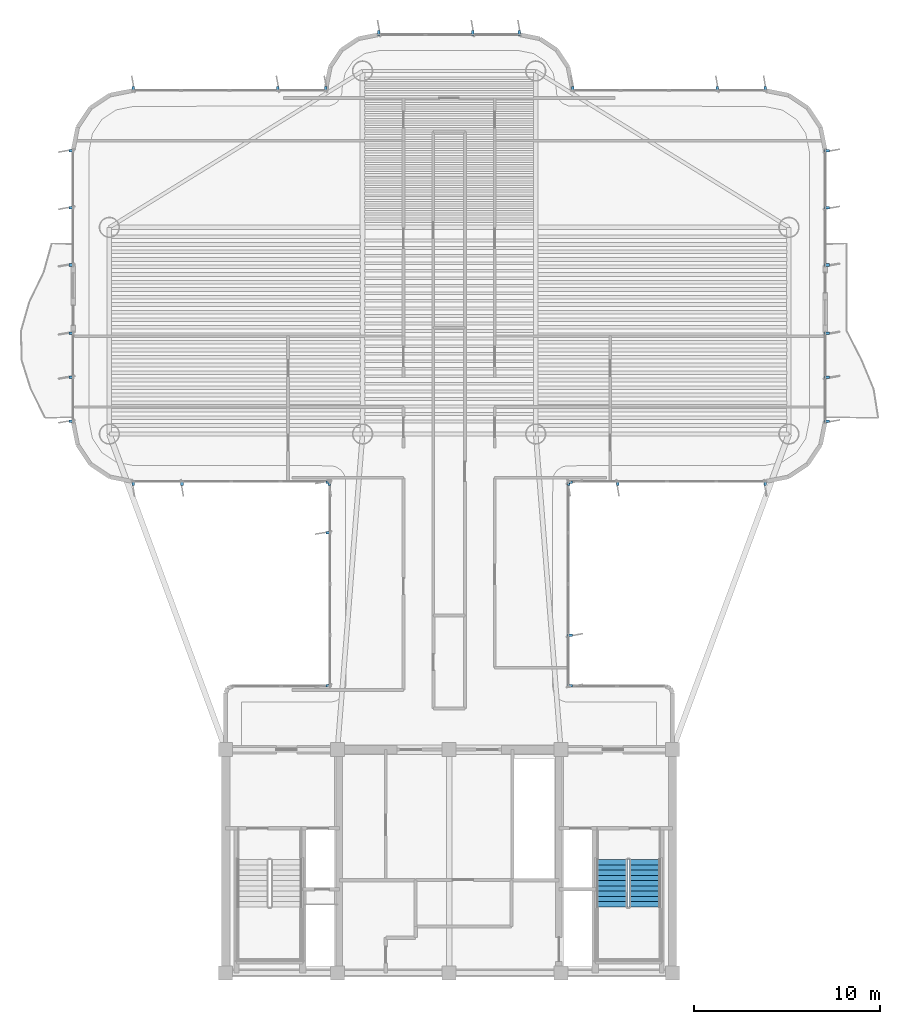
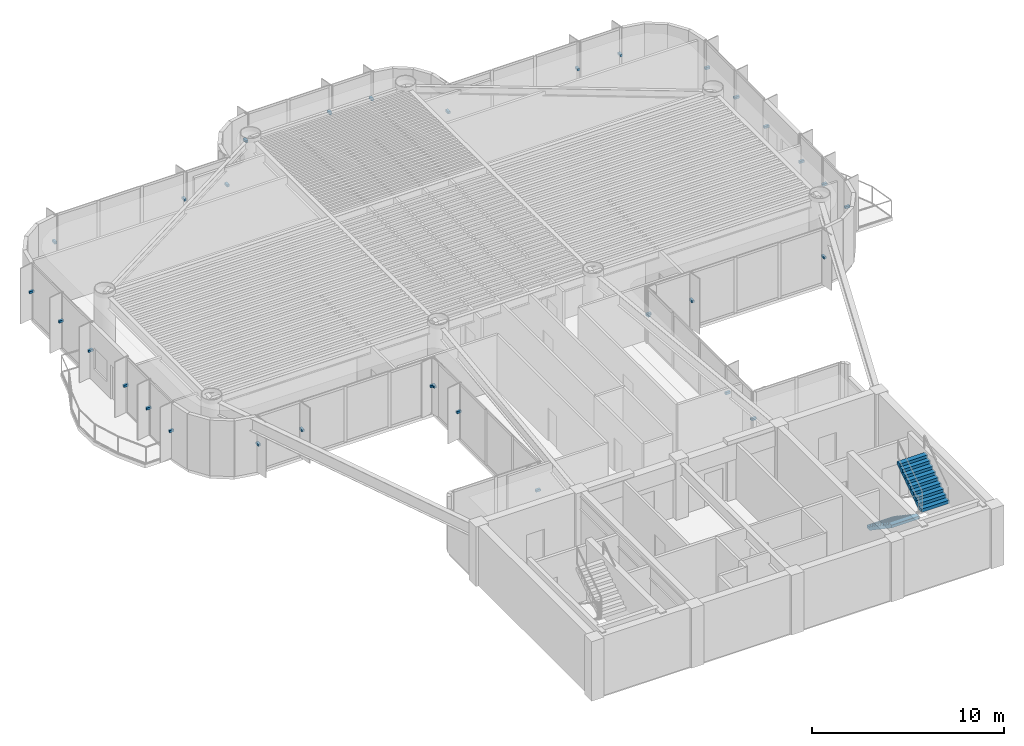
# One storey, part 12 of 14: 33 discrete accessories, 2 stair flights, 1 element without a shape of its own.
"""IFC4 building model written with IfcOpenShell, lengths in metres."""

from ifc_helpers import new_model, si_unit, direction, frame, origin, origin_2d, place, context, subcontext, project, spatial, polyline, rectangle, outline, extrude, source, transform, mapped, material, type_object, element, aggregate, save


model = new_model("IFC4")

# Units and contexts
model_context = context("Model", 3, precision=1e-05, world=origin(), true_north=direction((0.0, 1.0)))
body_context = subcontext(model_context, "Body", "Model", "MODEL_VIEW")
ifc_project = project(units=[si_unit("LENGTHUNIT", "METRE"), si_unit("AREAUNIT", "SQUARE_METRE"), si_unit("VOLUMEUNIT", "CUBIC_METRE"), si_unit("PLANEANGLEUNIT", "RADIAN"), si_unit("MASSUNIT", "GRAM", prefix="KILO")], contexts=[model_context])

# Site, building, storey
site_placement = place(None, origin())
site = spatial("IfcSite", under=ifc_project, at=site_placement, CompositionType="ELEMENT")
building_placement = place(site_placement, origin())
building = spatial("IfcBuilding", under=site, at=building_placement, Name="Brelvock Crest Care Tower", CompositionType="ELEMENT")
storey_placement = place(building_placement, frame((0.0, 0.0, 175.320068359375)))
storey = spatial("IfcBuildingStorey", under=building, at=storey_placement, Name="L44", CompositionType="ELEMENT", Elevation=175.320068359375)

# Stair, stair flights
ifc_material_1 = material(Name="Concrete N40 (40 MPa)", Category="concrete")
stair_type = type_object("IfcStairType", Name="ST-CORE1", PredefinedType="HALF_TURN_STAIR", material=ifc_material_1)
stair_placement = place(storey_placement, origin())
stair = element("IfcStair", 1, at=stair_placement, inside=storey, type_object=stair_type, Name="L44 Fire-Isolated Core Stair ST-2", PredefinedType="HALF_TURN_STAIR")
stair_flight_type = type_object("IfcStairFlightType", Name="STF-1", PredefinedType="STRAIGHT", material=ifc_material_1)
stair_flight_1_placement = place(storey_placement, frame((44.72998046875, 12.080078125, 0.0), z_axis=(0.0, 0.0, 1.0), x_axis=(0.0, -1.0, 0.0)))
stair_flight_1 = element("IfcStairFlight", 2, at=stair_flight_1_placement, type_object=stair_flight_type, Name="ST-2 flight 1", NumberOfRisers=10, NumberOfTreads=9, PredefinedType="STRAIGHT", RiserHeight=0.189, TreadLength=0.28, context=body_context, shape_type="SweptSolid", body=[
    extrude(outline(polyline([(-0.00390625, -0.014892578125), (-0.00390625, -0.0078125), (-0.00390625, -0.00048828125), (-0.00390625, 0.0068359375), (-0.00390625, 0.01416015625), (-0.00390625, 0.021484375), (-0.00390625, 0.02880859375), (-0.00390625, 0.035888671875), (-0.00390625, 0.043212890625), (-0.00390625, 0.050537109375), (-0.00390625, 0.057861328125), (-0.00390625, 0.065185546875), (-0.00390625, 0.072509765625), (-0.00390625, 0.07958984375), (-0.00390625, 0.0869140625), (-0.00390625, 0.09423828125), (-0.00390625, 0.1015625), (-0.00390625, 0.10888671875), (-0.00390625, 0.1162109375), (-0.00390625, 0.12353515625), (-0.00390625, 0.130615234375), (-0.00390625, 0.137939453125), (-0.00390625, 0.145263671875), (-0.00390625, 0.152587890625), (-0.00390625, 0.159912109375), (-0.00390625, 0.167236328125), (-0.00390625, 0.17431640625), (-0.00390625, 0.181640625), (-0.00390625, 0.18896484375), (0.0, 0.18896484375), (0.280029296875, 0.18896484375), (0.280029296875, 0.3779296875), (0.56005859375, 0.3779296875), (0.56005859375, 0.56689453125), (0.840087890625, 0.56689453125), (0.840087890625, 0.756103515625), (1.1201171875, 0.756103515625), (1.1201171875, 0.945068359375), (1.39990234375, 0.945068359375), (1.39990234375, 1.134033203125), (1.679931640625, 1.134033203125), (1.679931640625, 1.322998046875), (1.9599609375, 1.322998046875), (1.9599609375, 1.511962890625), (2.239990234375, 1.511962890625), (2.239990234375, 1.700927734375), (2.52001953125, 1.700927734375), (2.52392578125, 1.700927734375), (2.523681640625, 1.70068359375), (2.52392578125, 1.700439453125), (2.523681640625, 1.699951171875), (2.52392578125, 1.69970703125), (2.523681640625, 1.699462890625), (2.52392578125, 1.698974609375), (2.523681640625, 1.69873046875), (2.52392578125, 1.698486328125), (2.523681640625, 1.697998046875), (2.52392578125, 1.69775390625), (2.523681640625, 1.697509765625), (2.52392578125, 1.697021484375), (2.523681640625, 1.69677734375), (2.52392578125, 1.696533203125), (2.523681640625, 1.6962890625), (2.52392578125, 1.69580078125), (2.523681640625, 1.695556640625), (2.52392578125, 1.6953125), (2.523681640625, 1.69482421875), (2.52392578125, 1.694580078125), (2.523681640625, 1.6943359375), (2.52392578125, 1.69384765625), (2.523681640625, 1.693603515625), (2.52392578125, 1.693359375), (2.523681640625, 1.69287109375), (2.52392578125, 1.692626953125), (2.523681640625, 1.6923828125), (2.52392578125, 1.69189453125), (2.52001953125, 1.520263671875), (0.267822265625, 0.0), (0.0, 0.0), (0.0, -0.014892578125), (-0.00390625, -0.014892578125)])), frame((0.0, 0.83984375, 0.0), z_axis=(0.0, -1.0, 0.0), x_axis=(1.0, 0.0, 0.0)), (0.0, 0.0, 1.0), 1.679931640625),
])
stair_flight_2_placement = place(storey_placement, frame((46.530029296875, 9.56005859375, 1.889892578125), z_axis=(0.0, 0.0, 1.0), x_axis=(0.0, 1.0, 0.0)))
stair_flight_2 = element("IfcStairFlight", 3, at=stair_flight_2_placement, type_object=stair_flight_type, Name="ST-2 flight 2", NumberOfRisers=10, NumberOfTreads=9, PredefinedType="STRAIGHT", RiserHeight=0.189, TreadLength=0.28, context=body_context, shape_type="SweptSolid", body=[
    extrude(outline(polyline([(-0.00390625, -0.014892578125), (-0.00390625, -0.0078125), (-0.00390625, -0.00048828125), (-0.00390625, 0.0068359375), (-0.00390625, 0.01416015625), (-0.00390625, 0.021484375), (-0.00390625, 0.02880859375), (-0.00390625, 0.035888671875), (-0.00390625, 0.043212890625), (-0.00390625, 0.050537109375), (-0.00390625, 0.057861328125), (-0.00390625, 0.065185546875), (-0.00390625, 0.072509765625), (-0.00390625, 0.07958984375), (-0.00390625, 0.0869140625), (-0.00390625, 0.09423828125), (-0.00390625, 0.1015625), (-0.00390625, 0.10888671875), (-0.00390625, 0.1162109375), (-0.00390625, 0.12353515625), (-0.00390625, 0.130615234375), (-0.00390625, 0.137939453125), (-0.00390625, 0.145263671875), (-0.00390625, 0.152587890625), (-0.00390625, 0.159912109375), (-0.00390625, 0.167236328125), (-0.00390625, 0.17431640625), (-0.00390625, 0.181640625), (-0.00390625, 0.18896484375), (0.0, 0.18896484375), (0.280029296875, 0.18896484375), (0.280029296875, 0.3779296875), (0.56005859375, 0.3779296875), (0.56005859375, 0.56689453125), (0.840087890625, 0.56689453125), (0.840087890625, 0.756103515625), (1.1201171875, 0.756103515625), (1.1201171875, 0.945068359375), (1.39990234375, 0.945068359375), (1.39990234375, 1.134033203125), (1.679931640625, 1.134033203125), (1.679931640625, 1.322998046875), (1.9599609375, 1.322998046875), (1.9599609375, 1.511962890625), (2.239990234375, 1.511962890625), (2.239990234375, 1.700927734375), (2.52001953125, 1.700927734375), (2.52392578125, 1.700927734375), (2.523681640625, 1.70068359375), (2.52392578125, 1.700439453125), (2.523681640625, 1.699951171875), (2.52392578125, 1.69970703125), (2.523681640625, 1.699462890625), (2.52392578125, 1.698974609375), (2.523681640625, 1.69873046875), (2.52392578125, 1.698486328125), (2.523681640625, 1.697998046875), (2.52392578125, 1.69775390625), (2.523681640625, 1.697509765625), (2.52392578125, 1.697021484375), (2.523681640625, 1.69677734375), (2.52392578125, 1.696533203125), (2.523681640625, 1.6962890625), (2.52392578125, 1.69580078125), (2.523681640625, 1.695556640625), (2.52392578125, 1.6953125), (2.523681640625, 1.69482421875), (2.52392578125, 1.694580078125), (2.523681640625, 1.6943359375), (2.52392578125, 1.69384765625), (2.523681640625, 1.693603515625), (2.52392578125, 1.693359375), (2.523681640625, 1.69287109375), (2.52392578125, 1.692626953125), (2.523681640625, 1.6923828125), (2.52392578125, 1.69189453125), (2.52001953125, 1.520263671875), (0.267822265625, 0.0), (0.0, 0.0), (0.0, -0.014892578125), (-0.00390625, -0.014892578125)])), frame((0.0, 0.83984375, 0.0), z_axis=(0.0, -1.0, 0.0), x_axis=(1.0, 0.0, 0.0)), (0.0, 0.0, 1.0), 1.679931640625),
])
aggregate(stair, [stair_flight_1, stair_flight_2])

# Discrete accessories
ifc_material_2 = material(Name="Steel Grade 350", Category="steel")
discrete_accessory_type = type_object("IfcDiscreteAccessoryType", Name="ACC-BRK1", PredefinedType="BRACKET", material=ifc_material_2)
shared_shape = source(origin(), body_context, "Body", "SweptSolid", [
    extrude(rectangle(XDim=0.280029296875, YDim=0.139892578125, at=origin_2d()), origin(), (0.0, 0.0, 1.0), 0.139892578125),
])
for number, where, z_axis, x_axis, name in (
    (4, (29.52001953125, 21.429931640625, 1.69482421875), (0.0, 0.0, 1.0), (-1.0, 0.0, 0.0), "L44 Facade Fin Bracket E11-01"),
    (5, (29.52001953125, 29.64990234375, 1.69482421875), (0.0, 0.0, 1.0), (-1.0, 0.0, 0.0), "L44 Facade Fin Bracket E11-04"),
    (6, (29.52001953125, 32.3701171875, 1.69482421875), (0.0, 0.0, 1.0), (-1.0, 0.0, 0.0), "L44 Facade Fin Bracket E11-05"),
    (7, (29.570068359375, 32.320068359375, 1.69482421875), (0.0, 0.0, 1.0), (0.0, -1.0, 0.0), "L44 Facade Fin Bracket E12-01"),
    (8, (21.64990234375, 32.320068359375, 1.69482421875), (0.0, 0.0, 1.0), (0.0, -1.0, 0.0), "L44 Facade Fin Bracket E12-04"),
    (9, (19.030029296875, 32.320068359375, 1.69482421875), (0.0, 0.0, 1.0), (0.0, -1.0, 0.0), "L44 Facade Fin Bracket E12-05"),
    (10, (15.719970703125, 35.6298828125, 1.69482421875), (0.0, 0.0, 1.0), (-1.0, 0.0, 0.0), "L44 Facade Fin Bracket E17A-01"),
    (11, (15.719970703125, 38.0, 1.69482421875), (0.0, 0.0, 1.0), (-1.0, 0.0, 0.0), "L44 Facade Fin Bracket E17A-02"),
    (12, (15.719970703125, 40.3701171875, 1.69482421875), (0.0, 0.0, 1.0), (-1.0, 0.0, 0.0), "L44 Facade Fin Bracket E17A-03"),
    (13, (15.719970703125, 44.030029296875, 1.69482421875), (0.0, 0.0, 1.0), (-1.0, 0.0, 0.0), "L44 Facade Fin Bracket E17B-01"),
    (14, (15.719970703125, 47.10009765625, 1.69482421875), (0.0, 0.0, 1.0), (-1.0, 0.0, 0.0), "L44 Facade Fin Bracket E17B-02"),
    (15, (15.719970703125, 50.169921875, 1.69482421875), (0.0, 0.0, 1.0), (-1.0, 0.0, 0.0), "L44 Facade Fin Bracket E17B-03"),
    (16, (19.030029296875, 53.47998046875, 1.69482421875), (0.0, 0.0, 1.0), (0.0, 1.0, 0.0), "L44 Facade Fin Bracket E22-01"),
    (17, (26.800048828125, 53.47998046875, 1.69482421875), (0.0, 0.0, 1.0), (0.0, 1.0, 0.0), "L44 Facade Fin Bracket E22-04"),
    (18, (29.3701171875, 53.47998046875, 1.69482421875), (0.0, 0.0, 1.0), (0.0, 1.0, 0.0), "L44 Facade Fin Bracket E22-05"),
    (19, (32.22998046875, 56.47998046875, 1.69482421875), (0.0, 0.0, 1.0), (0.0, 1.0, 0.0), "L44 Facade Fin Bracket E28-01"),
    (20, (37.2666015625, 56.47998046875, 1.69482421875), (0.0, 0.0, 1.0), (0.0, 1.0, 0.0), "L44 Facade Fin Bracket E28-03"),
    (21, (39.77001953125, 56.47998046875, 1.69482421875), (0.0, 0.0, 1.0), (0.0, 1.0, 0.0), "L44 Facade Fin Bracket E28-04"),
    (22, (42.6298828125, 53.47998046875, 1.69482421875), (0.0, 0.0, 1.0), (0.0, 1.0, 0.0), "L44 Facade Fin Bracket E34-01"),
    (23, (50.39990234375, 53.47998046875, 1.69482421875), (0.0, 0.0, 1.0), (0.0, 1.0, 0.0), "L44 Facade Fin Bracket E34-04"),
    (24, (52.969970703125, 53.47998046875, 1.69482421875), (0.0, 0.0, 1.0), (0.0, 1.0, 0.0), "L44 Facade Fin Bracket E34-05"),
    (25, (56.280029296875, 50.169921875, 1.69482421875), (0.0, 0.0, 1.0), (1.0, 0.0, 0.0), "L44 Facade Fin Bracket E39A-01"),
    (26, (56.280029296875, 47.10009765625, 1.69482421875), (0.0, 0.0, 1.0), (1.0, 0.0, 0.0), "L44 Facade Fin Bracket E39A-02"),
    (27, (56.280029296875, 44.030029296875, 1.69482421875), (0.0, 0.0, 1.0), (1.0, 0.0, 0.0), "L44 Facade Fin Bracket E39A-03"),
    (28, (56.280029296875, 40.3701171875, 1.69482421875), (0.0, 0.0, 1.0), (1.0, 0.0, 0.0), "L44 Facade Fin Bracket E39B-01"),
    (29, (56.280029296875, 38.0, 1.69482421875), (0.0, 0.0, 1.0), (1.0, 0.0, 0.0), "L44 Facade Fin Bracket E39B-02"),
    (30, (56.280029296875, 35.6298828125, 1.69482421875), (0.0, 0.0, 1.0), (1.0, 0.0, 0.0), "L44 Facade Fin Bracket E39B-03"),
    (31, (52.969970703125, 32.320068359375, 1.69482421875), (0.0, 0.0, 1.0), (0.0, -1.0, 0.0), "L44 Facade Fin Bracket E44-01"),
    (32, (45.050048828125, 32.320068359375, 1.69482421875), (0.0, 0.0, 1.0), (0.0, -1.0, 0.0), "L44 Facade Fin Bracket E44-04"),
    (33, (42.429931640625, 32.320068359375, 1.69482421875), (0.0, 0.0, 1.0), (0.0, -1.0, 0.0), "L44 Facade Fin Bracket E44-05"),
    (34, (42.47998046875, 32.3701171875, 1.69482421875), (0.0, 0.0, 1.0), (1.0, 0.0, 0.0), "L44 Facade Fin Bracket E45-01"),
    (35, (42.47998046875, 24.14990234375, 1.69482421875), (0.0, 0.0, 1.0), (1.0, 0.0, 0.0), "L44 Facade Fin Bracket E45-04"),
    (36, (42.47998046875, 21.429931640625, 1.69482421875), (0.0, 0.0, 1.0), (1.0, 0.0, 0.0), "L44 Facade Fin Bracket E45-05"),
):
    element("IfcDiscreteAccessory", number, at=place(storey_placement, frame(where, z_axis=z_axis, x_axis=x_axis)), inside=storey, type_object=discrete_accessory_type, Name=name, PredefinedType="BRACKET", context=body_context, shape_type="MappedRepresentation", body=[
        mapped(shared_shape, transform((0.0, 0.0, 0.0), x_axis=(1.0, 0.0, 0.0), y_axis=(0.0, 1.0, 0.0), z_axis=(0.0, 0.0, 1.0), scale=1.0)),
    ])

save(model, "model.ifc")
